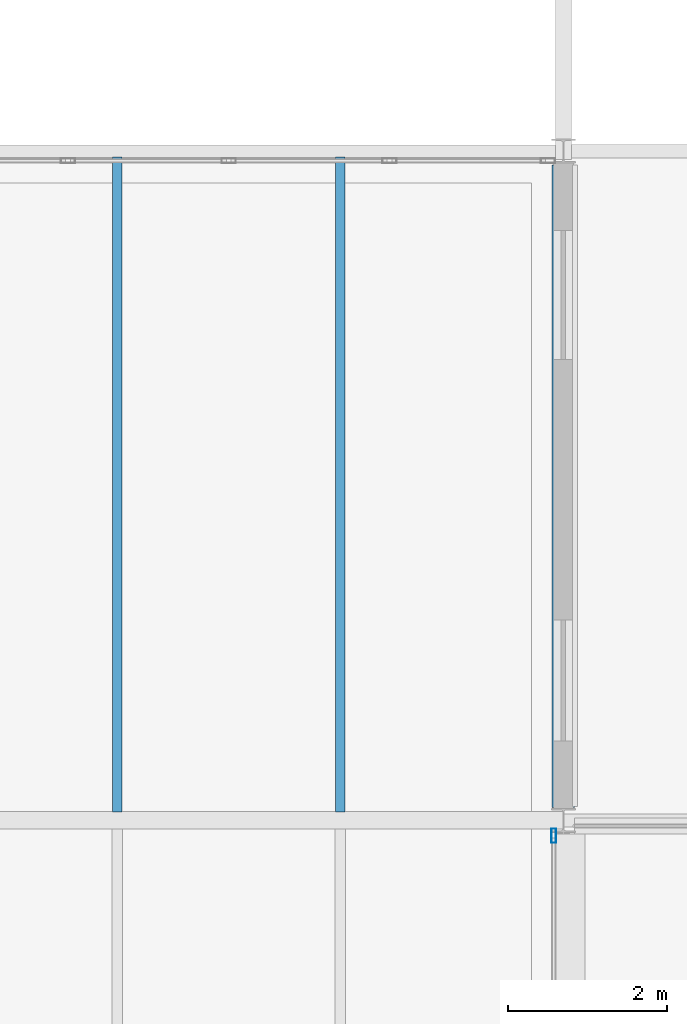
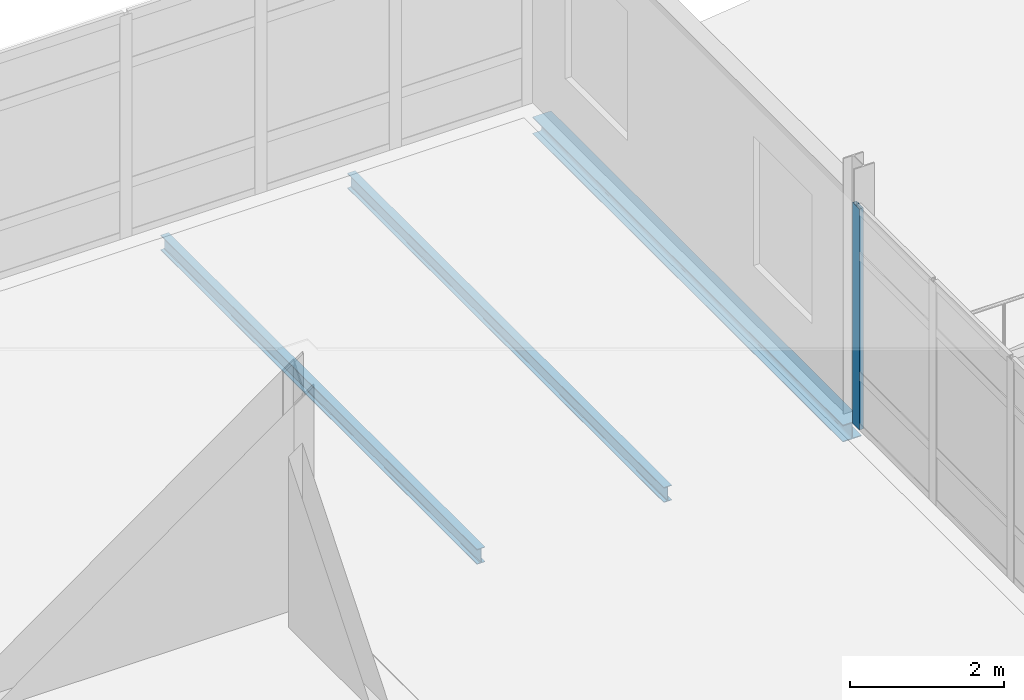
# One storey, part 18 of 131: 3 beams, 1 member, 1 element without a shape of its own.
"""IFC4 building model written with IfcOpenShell, lengths in metres."""

from ifc_helpers import new_model, si_unit, direction, frame, origin, origin_2d, place, context, subcontext, project, spatial, hollow_rectangle, i_section, extrude, material, material_profile, profile_set, type_object, element, aggregate, save


model = new_model("IFC4")

# Units and contexts
model_context = context("Model", 3, precision=1e-05, world=origin(), true_north=direction((0.0, 1.0)))
body_context = subcontext(model_context, "Body", "Model", "MODEL_VIEW")
ifc_project = project(units=[si_unit("LENGTHUNIT", "METRE"), si_unit("AREAUNIT", "SQUARE_METRE"), si_unit("VOLUMEUNIT", "CUBIC_METRE"), si_unit("PLANEANGLEUNIT", "RADIAN"), si_unit("MASSUNIT", "GRAM", prefix="KILO")], contexts=[model_context])

# Site, building, storey
site_placement = place(None, origin())
site = spatial("IfcSite", under=ifc_project, at=site_placement, CompositionType="ELEMENT")
building_placement = place(site_placement, origin())
building = spatial("IfcBuilding", under=site, at=building_placement, Name="Mersafa Astral City Hall", CompositionType="ELEMENT")
storey_placement = place(building_placement, frame((0.0, 0.0, 13.949951171875)))
storey = spatial("IfcBuildingStorey", under=building, at=storey_placement, Name="L03", CompositionType="ELEMENT", Elevation=13.949951171875)

# Curtain wall, member
ifc_material_1 = material(Name="Anodised bronze aluminium framing", Category="aluminium")
curtain_wall_type = type_object("IfcCurtainWallType", Name="ENV-CW-6", PredefinedType="USERDEFINED", material=ifc_material_1)
curtain_wall_placement = place(storey_placement, origin())
curtain_wall = element("IfcCurtainWall", 1, at=curtain_wall_placement, inside=storey, type_object=curtain_wall_type, Name="L03 Unitised solar curtain wall 149", ObjectType="UNITISED CURTAIN WALL", PredefinedType="USERDEFINED")
ifc_material_profile_1 = material_profile(ifc_material_1, hollow_rectangle(XDim=0.06005859375, YDim=0.179931640625, WallThickness=0.00390625, at=origin_2d()), Name="RHS 60x180x4")
ifc_profile_set_1 = profile_set([ifc_material_profile_1], Name="Anodised bronze aluminium framing")
member_type = type_object("IfcMemberType", Name="ENV-CW-MUL-1", PredefinedType="MULLION", material=ifc_profile_set_1)
member_placement = place(storey_placement, frame((134.280029296875, 25.008056640625, -0.001953125), z_axis=(0.0, 0.0, 1.0), x_axis=(-1.0, 0.0, 0.0)))
member = element("IfcMember", 2, at=member_placement, type_object=member_type, Name="CW-6 mullion 5", PredefinedType="MULLION", context=body_context, shape_type="SweptSolid", body=[
    extrude(hollow_rectangle(XDim=0.06005859375, YDim=0.179931640625, WallThickness=0.00390625, at=origin_2d()), origin(), (0.0, 0.0, 1.0), 3.50390625),
])
aggregate(curtain_wall, [member])

# Beams
ifc_material_2 = material(Name="Steel S355", Category="steel")
ifc_material_profile_2 = material_profile(ifc_material_2, i_section(OverallWidth=0.1201171875, OverallDepth=0.239990234375, WebThickness=0.006103515625, FlangeThickness=0.009765625, FilletRadius=0.014892578125, at=origin_2d()), Name="IPE 240")
ifc_profile_set_2 = profile_set([ifc_material_profile_2], Name="Steel S355")
beam_type_1 = type_object("IfcBeamType", Name="STR-BM-JOIST-IPE240", PredefinedType="JOIST", material=ifc_profile_set_2)
for number, where, z_axis, x_axis, name in (
    (3, (128.800048828125, 25.304931640625, -0.320068359375), (0.0, 1.0, 0.0), (-1.0, 0.0, 0.0), "L03 Composite secondary floor joist 638"),
    (4, (131.60009765625, 25.304931640625, -0.320068359375), (0.0, 1.0, 0.0), (-1.0, 0.0, 0.0), "L03 Composite secondary floor joist 639"),
):
    element("IfcBeam", number, at=place(storey_placement, frame(where, z_axis=z_axis, x_axis=x_axis)), inside=storey, type_object=beam_type_1, Name=name, PredefinedType="JOIST", context=body_context, shape_type="SweptSolid", body=[
        extrude(i_section(OverallWidth=0.1201171875, OverallDepth=0.239990234375, WebThickness=0.006103515625, FlangeThickness=0.009765625, FilletRadius=0.014892578125, at=origin_2d()), origin(), (0.0, 0.0, 1.0), 8.219970703125),
    ])
ifc_material_profile_3 = material_profile(ifc_material_2, i_section(OverallWidth=0.280029296875, OverallDepth=0.27001953125, WebThickness=0.008056640625, FlangeThickness=0.012939453125, FilletRadius=0.02392578125, at=origin_2d()), Name="HEA 280")
ifc_profile_set_3 = profile_set([ifc_material_profile_3], Name="Steel S355")
beam_type_2 = type_object("IfcBeamType", Name="STR-BM-SPANDREL-HEA280", PredefinedType="SPANDREL", material=ifc_profile_set_3)
beam_placement = place(storey_placement, frame((134.39990234375, 25.364990234375, -0.3349609375), z_axis=(0.0, 1.0, 0.0), x_axis=(-1.0, 0.0, 0.0)))
element("IfcBeam", 5, at=beam_placement, inside=storey, type_object=beam_type_2, Name="L03 Primary girder Y 16-3", PredefinedType="SPANDREL", context=body_context, shape_type="SweptSolid", body=[
    extrude(i_section(OverallWidth=0.280029296875, OverallDepth=0.27001953125, WebThickness=0.008056640625, FlangeThickness=0.012939453125, FilletRadius=0.02392578125, at=origin_2d()), origin(), (0.0, 0.0, 1.0), 8.06005859375),
])

save(model, "model.ifc")
